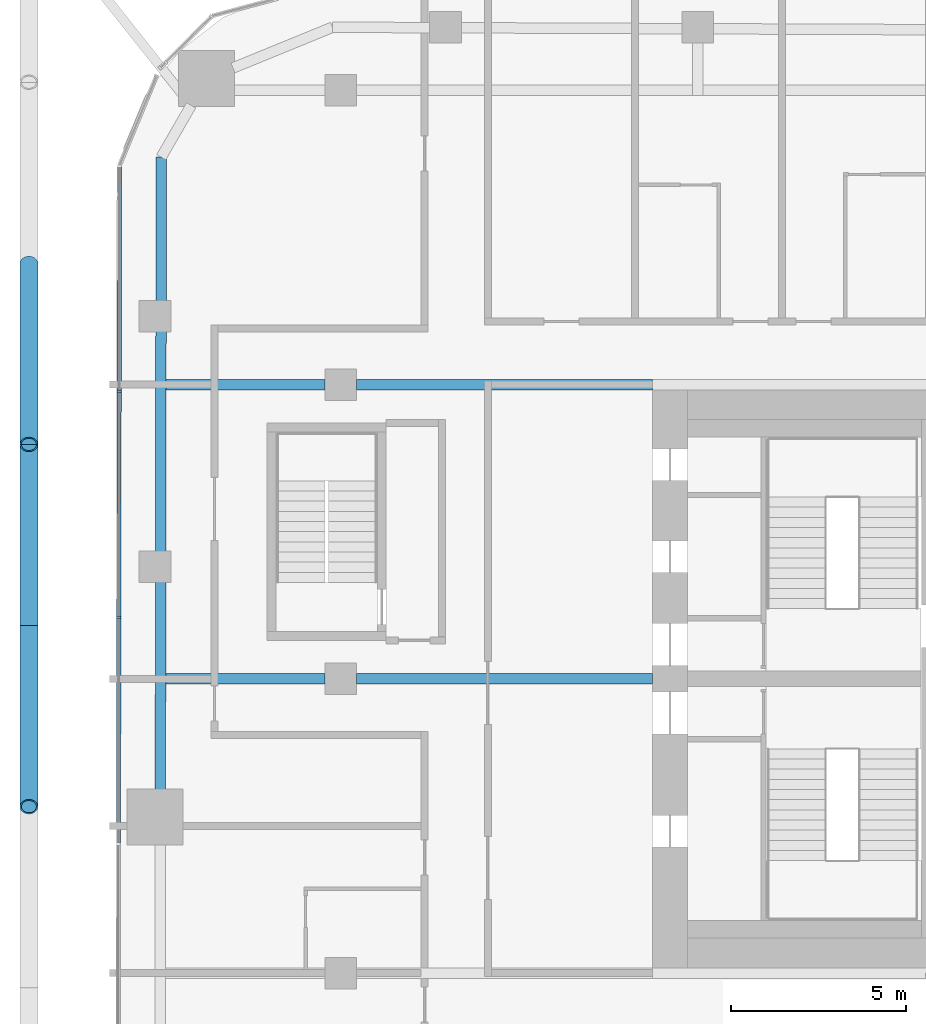
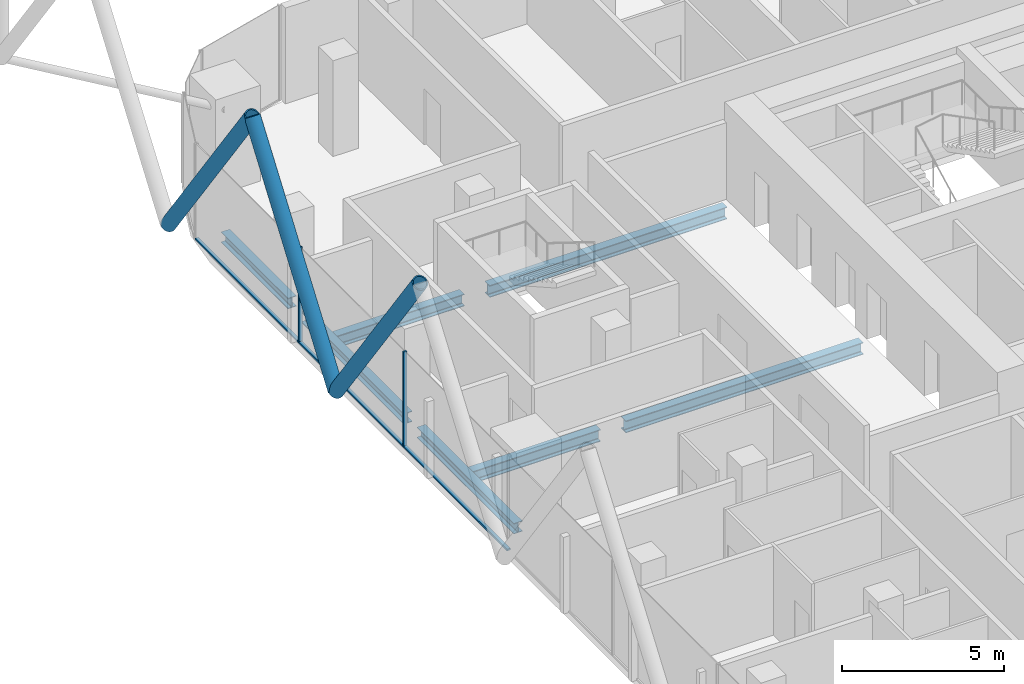
# One storey, part 9 of 33: 8 members, 7 beams, 1 element without a shape of its own.
"""IFC4 building model written with IfcOpenShell, lengths in metres."""

from ifc_helpers import new_model, si_unit, direction, frame, origin, origin_2d, place, context, subcontext, project, spatial, rectangle, hollow_circle, i_section, extrude, material, layer, layer_set, material_profile, profile_set, type_object, element, aggregate, save


model = new_model("IFC4")

# Units and contexts
model_context = context("Model", 3, precision=1e-05, world=origin(), true_north=direction((0.0, 1.0)))
body_context = subcontext(model_context, "Body", "Model", "MODEL_VIEW")
ifc_project = project(units=[si_unit("LENGTHUNIT", "METRE"), si_unit("AREAUNIT", "SQUARE_METRE"), si_unit("VOLUMEUNIT", "CUBIC_METRE"), si_unit("PLANEANGLEUNIT", "RADIAN"), si_unit("MASSUNIT", "GRAM", prefix="KILO")], contexts=[model_context])

# Site, building, storey
site_placement = place(None, origin())
site = spatial("IfcSite", under=ifc_project, at=site_placement, CompositionType="ELEMENT")
building_placement = place(site_placement, origin())
building = spatial("IfcBuilding", under=site, at=building_placement, Name="Marenta Gate Hotel Tower", CompositionType="ELEMENT")
storey_placement = place(building_placement, frame((0.0, 0.0, 108.5)))
storey = spatial("IfcBuildingStorey", under=building, at=storey_placement, Name="L23", CompositionType="ELEMENT", Elevation=108.5)

# Members
ifc_material_1 = material(Name="Steel S355J2W", Category="steel")
ifc_material_profile_1 = material_profile(ifc_material_1, hollow_circle(Radius=0.25390625, WallThickness=0.0400390625, at=origin_2d()), Name="CHS 508x40")
ifc_profile_set_1 = profile_set([ifc_material_profile_1], Name="Steel S355J2W")
member_type_1 = type_object("IfcMemberType", Name="Diagrid diagonal Z2 CHS 508x40", PredefinedType="BRACE", material=ifc_profile_set_1)
member_1_placement = place(storey_placement, frame((-29.89990234375, 9.919921875, 3.139892578125), z_axis=(0.0, -0.583247791947, 0.812294289767), x_axis=(1.0, 0.0, 0.0)))
element("IfcMember", 1, at=member_1_placement, inside=storey, type_object=member_type_1, Name="L23-DG-30", PredefinedType="BRACE", context=body_context, shape_type="SweptSolid", body=[
    extrude(hollow_circle(Radius=0.25390625, WallThickness=0.0400390625, at=origin_2d()), origin(), (0.0, 0.0, 1.0), 8.864013671875),
])
member_2_placement = place(storey_placement, frame((-29.89990234375, 9.919921875, 3.139892578125), z_axis=(0.0, 0.583265964901, 0.81228124082), x_axis=(-1.0, 0.0, 0.0)))
element("IfcMember", 2, at=member_2_placement, inside=storey, type_object=member_type_1, Name="L23-DG-31", PredefinedType="BRACE", context=body_context, shape_type="SweptSolid", body=[
    extrude(hollow_circle(Radius=0.25390625, WallThickness=0.0400390625, at=origin_2d()), origin(), (0.0, 0.0, 1.0), 8.8642578125),
])
member_3_placement = place(storey_placement, frame((-29.89990234375, 20.260009765625, 3.139892578125), z_axis=(0.0, -0.583247791947, 0.812294289767), x_axis=(1.0, 0.0, 0.0)))
element("IfcMember", 3, at=member_3_placement, inside=storey, type_object=member_type_1, Name="L23-DG-32", PredefinedType="BRACE", context=body_context, shape_type="SweptSolid", body=[
    extrude(hollow_circle(Radius=0.25390625, WallThickness=0.0400390625, at=origin_2d()), origin(), (0.0, 0.0, 1.0), 8.864013671875),
])

# Beams
ifc_material_2 = material(Name="Steel S355", Category="steel")
ifc_material_profile_2 = material_profile(ifc_material_2, i_section(OverallWidth=0.300048828125, OverallDepth=0.39990234375, WebThickness=0.013427734375, FlangeThickness=0.02392578125, FilletRadius=0.027099609375, at=origin_2d()), Name="HEB 400")
ifc_profile_set_2 = profile_set([ifc_material_profile_2], Name="Steel S355")
beam_type_1 = type_object("IfcBeamType", Name="Edge beam HEB 400", PredefinedType="SPANDREL", material=ifc_profile_set_2)
beam_1_placement = place(storey_placement, frame((-26.146484375, 5.2099609375, -0.4599609375), z_axis=(0.001387357379, 0.999999037619, 0.0), x_axis=(-0.999999037619, 0.001387357379, 0.0)))
element("IfcBeam", 4, at=beam_1_placement, inside=storey, type_object=beam_type_1, Name="L23-EB-8", PredefinedType="SPANDREL", context=body_context, shape_type="SweptSolid", body=[
    extrude(i_section(OverallWidth=0.300048828125, OverallDepth=0.39990234375, WebThickness=0.013427734375, FlangeThickness=0.02392578125, FilletRadius=0.027099609375, at=origin_2d()), origin(), (0.0, 0.0, 1.0), 5.983154296875),
])
beam_2_placement = place(storey_placement, frame((-26.136962890625, 12.01318359375, -0.4599609375), z_axis=(0.001387763206, 0.999999037056, 0.0), x_axis=(-0.999999037056, 0.001387763206, 0.0)))
element("IfcBeam", 5, at=beam_2_placement, inside=storey, type_object=beam_type_1, Name="L23-EB-9", PredefinedType="SPANDREL", context=body_context, shape_type="SweptSolid", body=[
    extrude(i_section(OverallWidth=0.300048828125, OverallDepth=0.39990234375, WebThickness=0.013427734375, FlangeThickness=0.02392578125, FilletRadius=0.027099609375, at=origin_2d()), origin(), (0.0, 0.0, 1.0), 6.333251953125),
])
beam_3_placement = place(storey_placement, frame((-26.126953125, 19.16650390625, -0.4599609375), z_axis=(0.001361187116, 0.999999073584, 0.0), x_axis=(-0.999999073584, 0.001361187116, 0.0)))
element("IfcBeam", 6, at=beam_3_placement, inside=storey, type_object=beam_type_1, Name="L23-EB-10", PredefinedType="SPANDREL", context=body_context, shape_type="SweptSolid", body=[
    extrude(i_section(OverallWidth=0.300048828125, OverallDepth=0.39990234375, WebThickness=0.013427734375, FlangeThickness=0.02392578125, FilletRadius=0.027099609375, at=origin_2d()), origin(), (0.0, 0.0, 1.0), 4.125244140625),
])
ifc_material_3 = material(Name="Steel S355", Category="steel")
ifc_material_profile_3 = material_profile(ifc_material_3, i_section(OverallWidth=0.300048828125, OverallDepth=0.449951171875, WebThickness=0.013916015625, FlangeThickness=0.02587890625, FilletRadius=0.027099609375, at=origin_2d()), Name="HEB 450")
ifc_profile_set_3 = profile_set([ifc_material_profile_3], Name="Steel S355")
beam_type_2 = type_object("IfcBeamType", Name="Girder HEB 450", PredefinedType="BEAM", material=ifc_profile_set_3)
beam_4_placement = place(storey_placement, frame((-25.991943359375, 8.39990234375, -0.485107421875), z_axis=(1.0, 0.0, 0.0), x_axis=(0.0, 1.0, 0.0)))
element("IfcBeam", 7, at=beam_4_placement, inside=storey, type_object=beam_type_2, Name="L23-GD-20", PredefinedType="BEAM", context=body_context, shape_type="SweptSolid", body=[
    extrude(i_section(OverallWidth=0.300048828125, OverallDepth=0.449951171875, WebThickness=0.013916015625, FlangeThickness=0.02587890625, FilletRadius=0.027099609375, at=origin_2d()), origin(), (0.0, 0.0, 1.0), 4.5419921875),
])
beam_5_placement = place(storey_placement, frame((-20.550048828125, 8.39990234375, -0.485107421875), z_axis=(1.0, 0.0, 0.0), x_axis=(0.0, 1.0, 0.0)))
element("IfcBeam", 8, at=beam_5_placement, inside=storey, type_object=beam_type_2, Name="L23-GD-21", PredefinedType="BEAM", context=body_context, shape_type="SweptSolid", body=[
    extrude(i_section(OverallWidth=0.300048828125, OverallDepth=0.449951171875, WebThickness=0.013916015625, FlangeThickness=0.02587890625, FilletRadius=0.027099609375, at=origin_2d()), origin(), (0.0, 0.0, 1.0), 8.449951171875),
])
beam_6_placement = place(storey_placement, frame((-25.980224609375, 16.800048828125, -0.485107421875), z_axis=(1.0, 0.0, 0.0), x_axis=(0.0, 1.0, 0.0)))
element("IfcBeam", 9, at=beam_6_placement, inside=storey, type_object=beam_type_2, Name="L23-GD-24", PredefinedType="BEAM", context=body_context, shape_type="SweptSolid", body=[
    extrude(i_section(OverallWidth=0.300048828125, OverallDepth=0.449951171875, WebThickness=0.013916015625, FlangeThickness=0.02587890625, FilletRadius=0.027099609375, at=origin_2d()), origin(), (0.0, 0.0, 1.0), 4.5302734375),
])
beam_7_placement = place(storey_placement, frame((-20.550048828125, 16.800048828125, -0.485107421875), z_axis=(1.0, 0.0, 0.0), x_axis=(0.0, 1.0, 0.0)))
element("IfcBeam", 10, at=beam_7_placement, inside=storey, type_object=beam_type_2, Name="L23-GD-25", PredefinedType="BEAM", context=body_context, shape_type="SweptSolid", body=[
    extrude(i_section(OverallWidth=0.300048828125, OverallDepth=0.449951171875, WebThickness=0.013916015625, FlangeThickness=0.02587890625, FilletRadius=0.027099609375, at=origin_2d()), origin(), (0.0, 0.0, 1.0), 8.449951171875),
])

# Curtain wall, members
ifc_material_4 = material(Name="Tinted insulated glass in bronze anodised frame", Category="glass")
ifc_layer = layer(ifc_material_4, 0.1201171875)
ifc_layer_set = layer_set([ifc_layer], Name="Tinted insulated glass in bronze anodised frame")
curtain_wall_type = type_object("IfcCurtainWallType", Name="Tower unitised curtain wall CW1", PredefinedType="NOTDEFINED", material=ifc_layer_set)
curtain_wall_placement = place(storey_placement, origin())
curtain_wall = element("IfcCurtainWall", 11, at=curtain_wall_placement, inside=storey, type_object=curtain_wall_type, Name="CW1 run G04", PredefinedType="NOTDEFINED")
ifc_material_5 = material(Name="Bronze anodised aluminium", Category="aluminium")
ifc_material_profile_4 = material_profile(ifc_material_5, rectangle(XDim=0.1201171875, YDim=0.06005859375, at=origin_2d()), Name="Mullion CW1 60x120 bronze anodised aluminium")
ifc_profile_set_4 = profile_set([ifc_material_profile_4], Name="Bronze anodised aluminium")
member_type_2 = type_object("IfcMemberType", Name="Mullion CW1 60x120 bronze anodised aluminium", PredefinedType="MULLION", material=ifc_profile_set_4)
member_4_placement = place(storey_placement, frame((-27.322509765625, 16.606201171875, 0.0), z_axis=(0.0, 0.0, 1.0), x_axis=(0.99999877375, -0.001566045546, 0.0)))
member_4 = element("IfcMember", 12, at=member_4_placement, type_object=member_type_2, Name="CW1 mullion 2", PredefinedType="MULLION", context=body_context, shape_type="SweptSolid", body=[
    extrude(rectangle(XDim=0.1201171875, YDim=0.06005859375, at=origin_2d()), origin(), (0.0, 0.0, 1.0), 3.60009765625),
])
member_5_placement = place(storey_placement, frame((-27.33251953125, 10.146240234375, 0.0), z_axis=(0.0, 0.0, 1.0), x_axis=(0.99999877375, -0.001566045546, 0.0)))
member_5 = element("IfcMember", 13, at=member_5_placement, type_object=member_type_2, Name="CW1 mullion 3", PredefinedType="MULLION", context=body_context, shape_type="SweptSolid", body=[
    extrude(rectangle(XDim=0.1201171875, YDim=0.06005859375, at=origin_2d()), origin(), (0.0, 0.0, 1.0), 3.60009765625),
])
ifc_material_6 = material(Name="Bronze anodised aluminium", Category="aluminium")
ifc_material_profile_5 = material_profile(ifc_material_6, rectangle(XDim=0.1201171875, YDim=0.06005859375, at=origin_2d()), Name="Transom CW1 60x120 bronze anodised aluminium")
ifc_profile_set_5 = profile_set([ifc_material_profile_5], Name="Bronze anodised aluminium")
member_type_3 = type_object("IfcMemberType", Name="Transom CW1 60x120 bronze anodised aluminium", PredefinedType="USERDEFINED", material=ifc_profile_set_5)
member_6_placement = place(storey_placement, frame((-27.3125, 23.006103515625, 0.030029296875), z_axis=(-0.001533093902, -0.999998824811, 0.0), x_axis=(0.999998824811, -0.001533093902, 0.0)))
member_6 = element("IfcMember", 14, at=member_6_placement, type_object=member_type_3, Name="CW1 transom 1.1", ObjectType="TRANSOM", PredefinedType="USERDEFINED", context=body_context, shape_type="SweptSolid", body=[
    extrude(rectangle(XDim=0.1201171875, YDim=0.06005859375, at=origin_2d()), origin(), (0.0, 0.0, 1.0), 6.369873046875),
])
member_7_placement = place(storey_placement, frame((-27.322509765625, 16.576171875, 0.030029296875), z_axis=(-0.001564047831, -0.999998776876, 0.0), x_axis=(0.999998776876, -0.001564047831, 0.0)))
member_7 = element("IfcMember", 15, at=member_7_placement, type_object=member_type_3, Name="CW1 transom 2.1", ObjectType="TRANSOM", PredefinedType="USERDEFINED", context=body_context, shape_type="SweptSolid", body=[
    extrude(rectangle(XDim=0.1201171875, YDim=0.06005859375, at=origin_2d()), origin(), (0.0, 0.0, 1.0), 6.39990234375),
])
member_8_placement = place(storey_placement, frame((-27.33251953125, 10.1162109375, 0.030029296875), z_axis=(-0.001564047831, -0.999998776876, 0.0), x_axis=(0.999998776876, -0.001564047831, 0.0)))
member_8 = element("IfcMember", 16, at=member_8_placement, type_object=member_type_3, Name="CW1 transom 3.1", ObjectType="TRANSOM", PredefinedType="USERDEFINED", context=body_context, shape_type="SweptSolid", body=[
    extrude(rectangle(XDim=0.1201171875, YDim=0.06005859375, at=origin_2d()), origin(), (0.0, 0.0, 1.0), 6.39990234375),
])
aggregate(curtain_wall, [member_4, member_5, member_6, member_7, member_8])

save(model, "model.ifc")
